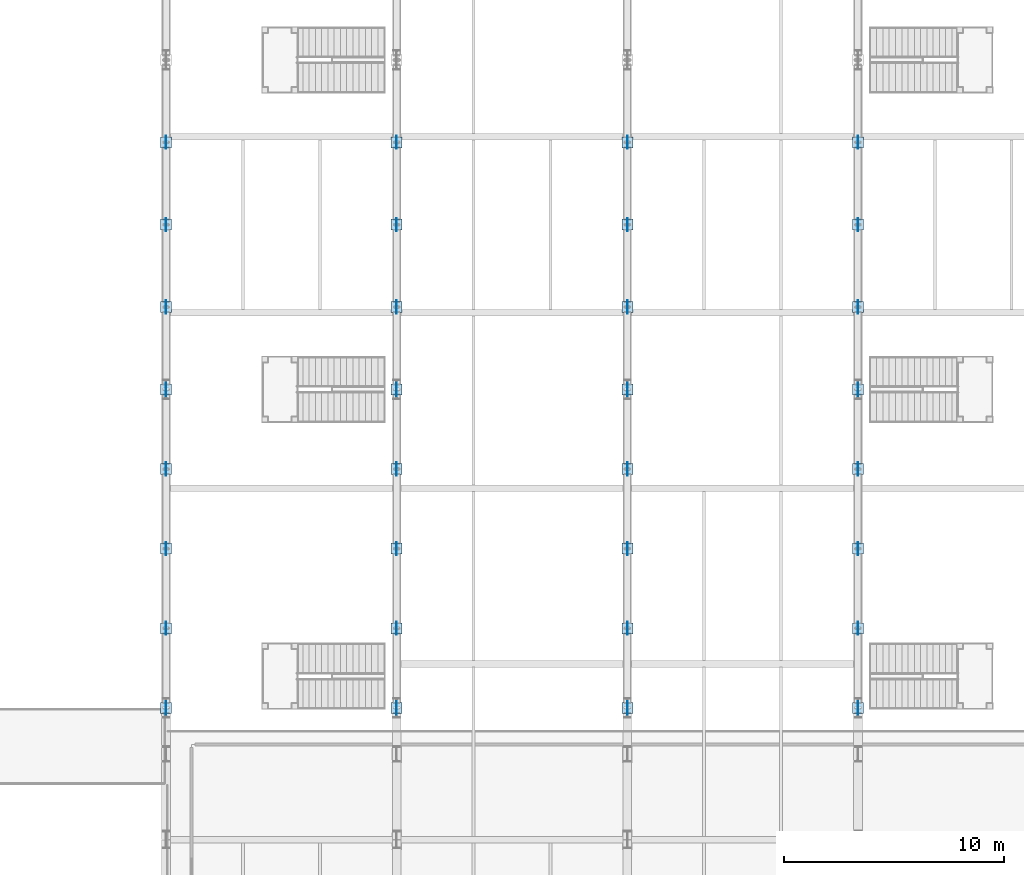
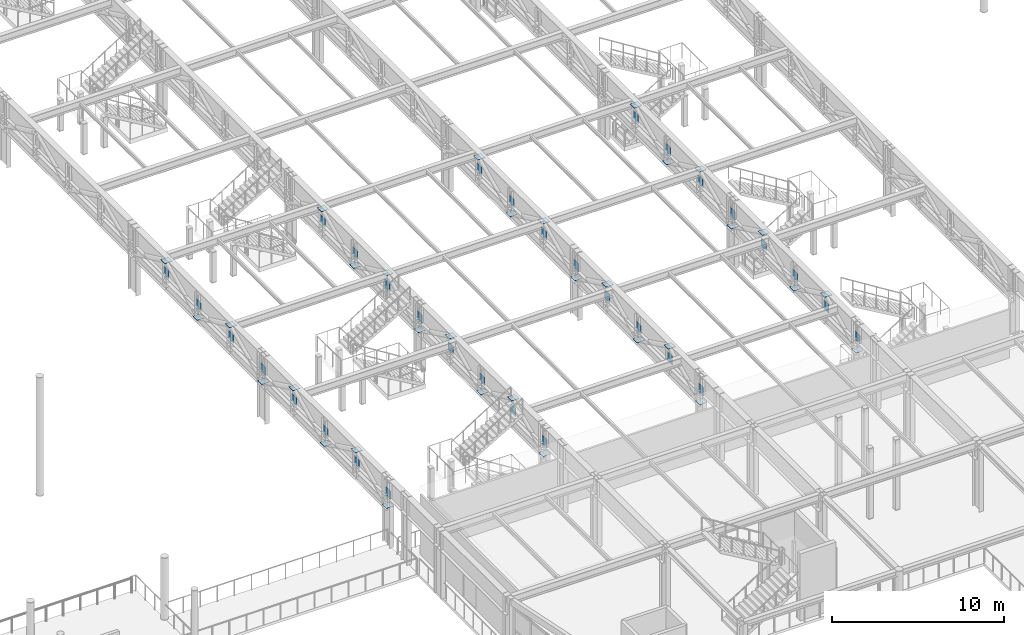
# One storey, part 77 of 143: 64 plates.
"""IFC4 building model written with IfcOpenShell, lengths in metres."""

from ifc_helpers import new_model, si_unit, direction, frame, origin, origin_2d, place, context, subcontext, project, spatial, rectangle, extrude, material, layer, layer_set, type_object, element, save


model = new_model("IFC4")

# Units and contexts
model_context = context("Model", 3, precision=1e-05, world=origin(), true_north=direction((0.0, 1.0)))
body_context = subcontext(model_context, "Body", "Model", "MODEL_VIEW")
ifc_project = project(units=[si_unit("LENGTHUNIT", "METRE"), si_unit("AREAUNIT", "SQUARE_METRE"), si_unit("VOLUMEUNIT", "CUBIC_METRE"), si_unit("PLANEANGLEUNIT", "RADIAN"), si_unit("MASSUNIT", "GRAM", prefix="KILO")], contexts=[model_context])

# Site, building, storey
site_placement = place(None, origin())
site = spatial("IfcSite", under=ifc_project, at=site_placement, CompositionType="ELEMENT")
building_placement = place(site_placement, origin())
building = spatial("IfcBuilding", under=site, at=building_placement, Name="Marlcrest Central Station", CompositionType="ELEMENT")
storey_placement = place(building_placement, frame((0.0, 0.0, 4.800048828125)))
storey = spatial("IfcBuildingStorey", under=building, at=storey_placement, Name="L01", CompositionType="ELEMENT", Elevation=4.800048828125)

# Plates
ifc_material = material(Name="Steel S355", Category="steel")
ifc_layer_1 = layer(ifc_material, 0.02392578125, Name="GP-01")
ifc_layer_set_1 = layer_set([ifc_layer_1], Name="Steel S355")
plate_type_1 = type_object("IfcPlateType", Name="GP-01", PredefinedType="USERDEFINED", material=ifc_layer_set_1)
for number, where, z_axis, x_axis, name in (
    (1, (87.0, 36.5, 3.31982421875), (0.0, 0.0, 1.0), (1.0, 0.0, 0.0), "plt-truss-01051"),
    (2, (87.0, 40.125, 3.31982421875), (0.0, 0.0, 1.0), (1.0, 0.0, 0.0), "plt-truss-01053"),
    (3, (87.0, 43.75, 3.31982421875), (0.0, 0.0, 1.0), (1.0, 0.0, 0.0), "plt-truss-01055"),
    (4, (87.0, 47.375, 3.31982421875), (0.0, 0.0, 1.0), (1.0, 0.0, 0.0), "plt-truss-01057"),
    (5, (87.0, 51.0, 3.31982421875), (0.0, 0.0, 1.0), (1.0, 0.0, 0.0), "plt-truss-01059"),
    (6, (87.0, 54.75, 3.31982421875), (0.0, 0.0, 1.0), (1.0, 0.0, 0.0), "plt-truss-01061"),
    (7, (87.0, 58.5, 3.31982421875), (0.0, 0.0, 1.0), (1.0, 0.0, 0.0), "plt-truss-01063"),
    (8, (87.0, 62.25, 3.31982421875), (0.0, 0.0, 1.0), (1.0, 0.0, 0.0), "plt-truss-01065"),
    (9, (97.5, 36.5, 3.31982421875), (0.0, 0.0, 1.0), (1.0, 0.0, 0.0), "plt-truss-01084"),
    (10, (97.5, 40.125, 3.31982421875), (0.0, 0.0, 1.0), (1.0, 0.0, 0.0), "plt-truss-01086"),
    (11, (97.5, 43.75, 3.31982421875), (0.0, 0.0, 1.0), (1.0, 0.0, 0.0), "plt-truss-01088"),
    (12, (97.5, 47.375, 3.31982421875), (0.0, 0.0, 1.0), (1.0, 0.0, 0.0), "plt-truss-01090"),
    (13, (97.5, 51.0, 3.31982421875), (0.0, 0.0, 1.0), (1.0, 0.0, 0.0), "plt-truss-01092"),
    (14, (97.5, 54.75, 3.31982421875), (0.0, 0.0, 1.0), (1.0, 0.0, 0.0), "plt-truss-01094"),
    (15, (97.5, 58.5, 3.31982421875), (0.0, 0.0, 1.0), (1.0, 0.0, 0.0), "plt-truss-01096"),
    (16, (97.5, 62.25, 3.31982421875), (0.0, 0.0, 1.0), (1.0, 0.0, 0.0), "plt-truss-01098"),
    (17, (108.0, 36.5, 3.31982421875), (0.0, 0.0, 1.0), (1.0, 0.0, 0.0), "plt-truss-01117"),
    (18, (108.0, 40.125, 3.31982421875), (0.0, 0.0, 1.0), (1.0, 0.0, 0.0), "plt-truss-01119"),
    (19, (108.0, 43.75, 3.31982421875), (0.0, 0.0, 1.0), (1.0, 0.0, 0.0), "plt-truss-01121"),
    (20, (108.0, 47.375, 3.31982421875), (0.0, 0.0, 1.0), (1.0, 0.0, 0.0), "plt-truss-01123"),
    (21, (108.0, 51.0, 3.31982421875), (0.0, 0.0, 1.0), (1.0, 0.0, 0.0), "plt-truss-01125"),
    (22, (108.0, 54.75, 3.31982421875), (0.0, 0.0, 1.0), (1.0, 0.0, 0.0), "plt-truss-01127"),
    (23, (108.0, 58.5, 3.31982421875), (0.0, 0.0, 1.0), (1.0, 0.0, 0.0), "plt-truss-01129"),
    (24, (108.0, 62.25, 3.31982421875), (0.0, 0.0, 1.0), (1.0, 0.0, 0.0), "plt-truss-01131"),
    (25, (118.5, 36.5, 3.31982421875), (0.0, 0.0, 1.0), (1.0, 0.0, 0.0), "plt-truss-01150"),
    (26, (118.5, 40.125, 3.31982421875), (0.0, 0.0, 1.0), (1.0, 0.0, 0.0), "plt-truss-01152"),
    (27, (118.5, 43.75, 3.31982421875), (0.0, 0.0, 1.0), (1.0, 0.0, 0.0), "plt-truss-01154"),
    (28, (118.5, 47.375, 3.31982421875), (0.0, 0.0, 1.0), (1.0, 0.0, 0.0), "plt-truss-01156"),
    (29, (118.5, 51.0, 3.31982421875), (0.0, 0.0, 1.0), (1.0, 0.0, 0.0), "plt-truss-01158"),
    (30, (118.5, 54.75, 3.31982421875), (0.0, 0.0, 1.0), (1.0, 0.0, 0.0), "plt-truss-01160"),
    (31, (118.5, 58.5, 3.31982421875), (0.0, 0.0, 1.0), (1.0, 0.0, 0.0), "plt-truss-01162"),
    (32, (118.5, 62.25, 3.31982421875), (0.0, 0.0, 1.0), (1.0, 0.0, 0.0), "plt-truss-01164"),
):
    element("IfcPlate", number, at=place(storey_placement, frame(where, z_axis=z_axis, x_axis=x_axis)), inside=storey, type_object=plate_type_1, Name=name, ObjectType="GUSSET_PLATE", PredefinedType="USERDEFINED", context=body_context, shape_type="SweptSolid", body=[
        extrude(rectangle(XDim=0.02392578125, YDim=0.60009765625, at=origin_2d()), origin(), (0.0, 0.0, 1.0), 0.60009765625),
    ])
ifc_layer_2 = layer(ifc_material, 0.02001953125, Name="GP-03")
ifc_layer_set_2 = layer_set([ifc_layer_2], Name="Steel S355")
plate_type_2 = type_object("IfcPlateType", Name="GP-03", PredefinedType="USERDEFINED", material=ifc_layer_set_2)
for number, where, z_axis, x_axis, name in (
    (33, (87.0, 36.5, 2.73486328125), (0.0, 0.0, 1.0), (1.0, 0.0, 0.0), "plt-cap-01049"),
    (34, (87.0, 40.125, 4.48486328125), (0.0, 0.0, 1.0), (1.0, 0.0, 0.0), "plt-cap-01050"),
    (35, (87.0, 43.75, 2.73486328125), (0.0, 0.0, 1.0), (1.0, 0.0, 0.0), "plt-cap-01052"),
    (36, (87.0, 47.375, 4.48486328125), (0.0, 0.0, 1.0), (1.0, 0.0, 0.0), "plt-cap-01054"),
    (37, (87.0, 51.0, 2.73486328125), (0.0, 0.0, 1.0), (1.0, 0.0, 0.0), "plt-cap-01056"),
    (38, (87.0, 54.75, 4.48486328125), (0.0, 0.0, 1.0), (1.0, 0.0, 0.0), "plt-cap-01058"),
    (39, (87.0, 58.5, 2.73486328125), (0.0, 0.0, 1.0), (1.0, 0.0, 0.0), "plt-cap-01060"),
    (40, (87.0, 62.25, 4.48486328125), (0.0, 0.0, 1.0), (1.0, 0.0, 0.0), "plt-cap-01062"),
    (41, (97.5, 36.5, 2.73486328125), (0.0, 0.0, 1.0), (1.0, 0.0, 0.0), "plt-cap-01082"),
    (42, (97.5, 40.125, 4.48486328125), (0.0, 0.0, 1.0), (1.0, 0.0, 0.0), "plt-cap-01083"),
    (43, (97.5, 43.75, 2.73486328125), (0.0, 0.0, 1.0), (1.0, 0.0, 0.0), "plt-cap-01085"),
    (44, (97.5, 47.375, 4.48486328125), (0.0, 0.0, 1.0), (1.0, 0.0, 0.0), "plt-cap-01087"),
    (45, (97.5, 51.0, 2.73486328125), (0.0, 0.0, 1.0), (1.0, 0.0, 0.0), "plt-cap-01089"),
    (46, (97.5, 54.75, 4.48486328125), (0.0, 0.0, 1.0), (1.0, 0.0, 0.0), "plt-cap-01091"),
    (47, (97.5, 58.5, 2.73486328125), (0.0, 0.0, 1.0), (1.0, 0.0, 0.0), "plt-cap-01093"),
    (48, (97.5, 62.25, 4.48486328125), (0.0, 0.0, 1.0), (1.0, 0.0, 0.0), "plt-cap-01095"),
    (49, (108.0, 36.5, 2.73486328125), (0.0, 0.0, 1.0), (1.0, 0.0, 0.0), "plt-cap-01115"),
    (50, (108.0, 40.125, 4.48486328125), (0.0, 0.0, 1.0), (1.0, 0.0, 0.0), "plt-cap-01116"),
    (51, (108.0, 43.75, 2.73486328125), (0.0, 0.0, 1.0), (1.0, 0.0, 0.0), "plt-cap-01118"),
    (52, (108.0, 47.375, 4.48486328125), (0.0, 0.0, 1.0), (1.0, 0.0, 0.0), "plt-cap-01120"),
    (53, (108.0, 51.0, 2.73486328125), (0.0, 0.0, 1.0), (1.0, 0.0, 0.0), "plt-cap-01122"),
    (54, (108.0, 54.75, 4.48486328125), (0.0, 0.0, 1.0), (1.0, 0.0, 0.0), "plt-cap-01124"),
    (55, (108.0, 58.5, 2.73486328125), (0.0, 0.0, 1.0), (1.0, 0.0, 0.0), "plt-cap-01126"),
    (56, (108.0, 62.25, 4.48486328125), (0.0, 0.0, 1.0), (1.0, 0.0, 0.0), "plt-cap-01128"),
    (57, (118.5, 36.5, 2.73486328125), (0.0, 0.0, 1.0), (1.0, 0.0, 0.0), "plt-cap-01148"),
    (58, (118.5, 40.125, 4.48486328125), (0.0, 0.0, 1.0), (1.0, 0.0, 0.0), "plt-cap-01149"),
    (59, (118.5, 43.75, 2.73486328125), (0.0, 0.0, 1.0), (1.0, 0.0, 0.0), "plt-cap-01151"),
    (60, (118.5, 47.375, 4.48486328125), (0.0, 0.0, 1.0), (1.0, 0.0, 0.0), "plt-cap-01153"),
    (61, (118.5, 51.0, 2.73486328125), (0.0, 0.0, 1.0), (1.0, 0.0, 0.0), "plt-cap-01155"),
    (62, (118.5, 54.75, 4.48486328125), (0.0, 0.0, 1.0), (1.0, 0.0, 0.0), "plt-cap-01157"),
    (63, (118.5, 58.5, 2.73486328125), (0.0, 0.0, 1.0), (1.0, 0.0, 0.0), "plt-cap-01159"),
    (64, (118.5, 62.25, 4.48486328125), (0.0, 0.0, 1.0), (1.0, 0.0, 0.0), "plt-cap-01161"),
):
    element("IfcPlate", number, at=place(storey_placement, frame(where, z_axis=z_axis, x_axis=x_axis)), inside=storey, type_object=plate_type_2, Name=name, ObjectType="GUSSET_PLATE", PredefinedType="USERDEFINED", context=body_context, shape_type="SweptSolid", body=[
        extrude(rectangle(XDim=0.5, YDim=0.5, at=origin_2d()), origin(), (0.0, 0.0, 1.0), 0.02001953125),
    ])

save(model, "model.ifc")
